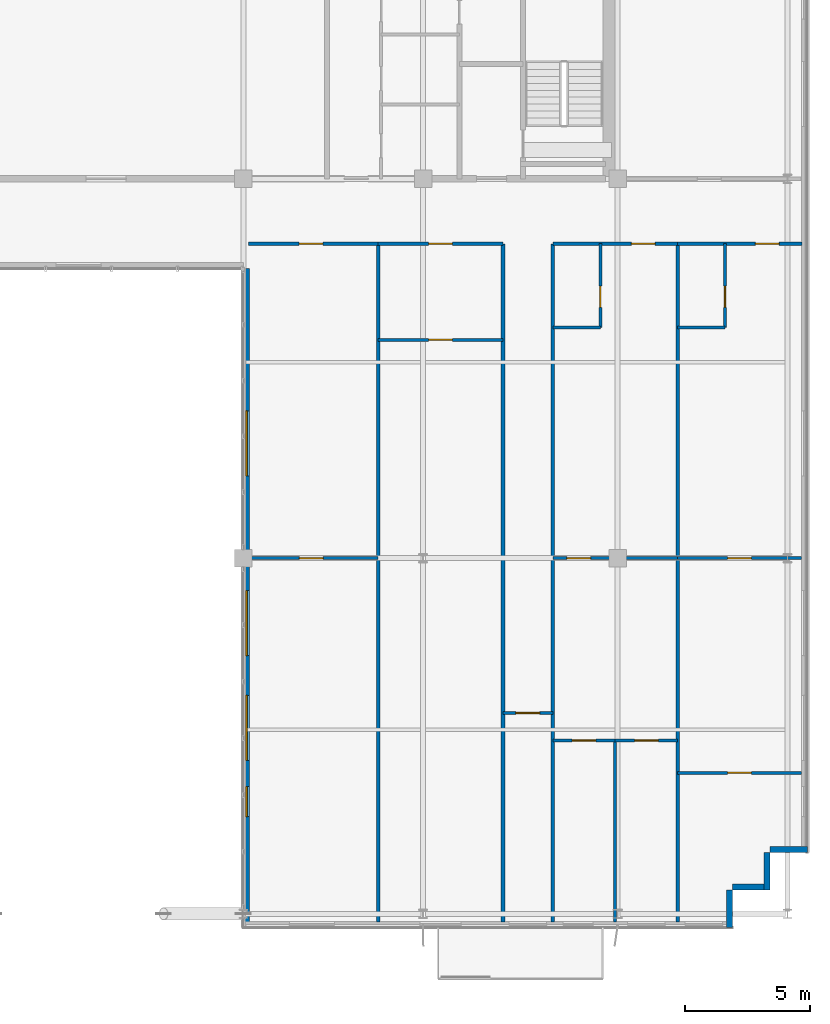
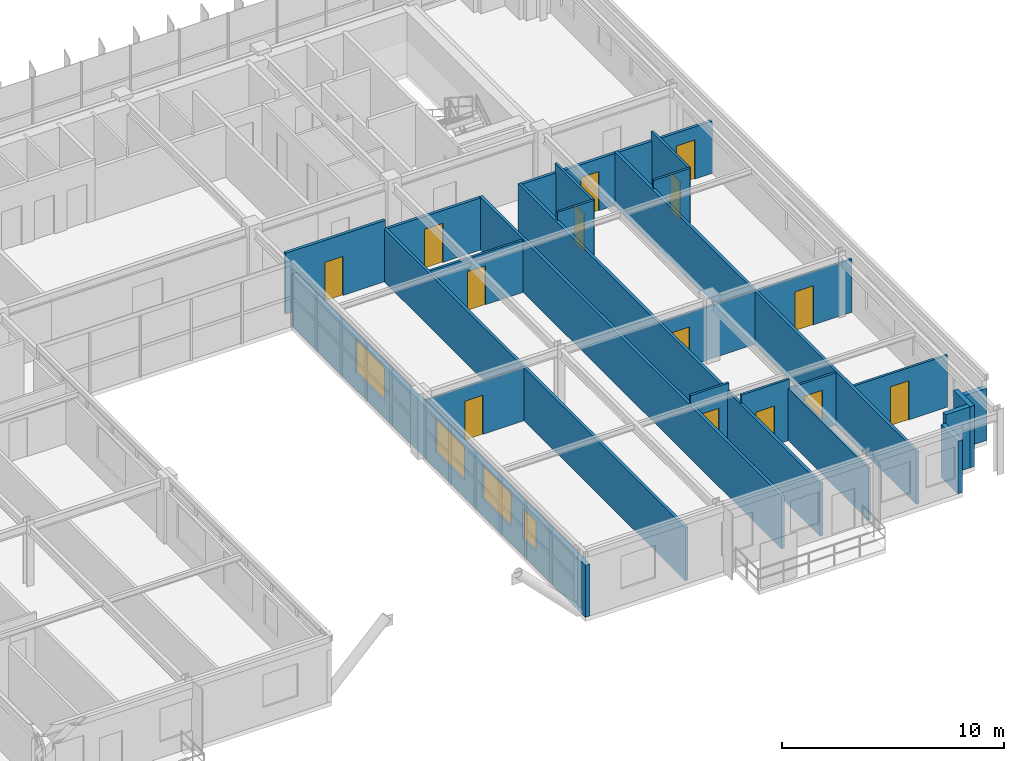
# One storey, part 30 of 35: 26 walls, 14 doors, 4 windows, 18 openings.
"""IFC4 building model written with IfcOpenShell, lengths in metres."""

from ifc_helpers import new_model, si_unit, direction, frame, frame_2d, origin, place, context, subcontext, project, spatial, rectangle, extrude, source, transform, mapped, material, layer, layer_set, type_object, element, fill, save


model = new_model("IFC4")

# Units and contexts
model_context = context("Model", 3, precision=1e-05, world=origin(), true_north=direction((0.0, 1.0)))
body_context = subcontext(model_context, "Body", "Model", "MODEL_VIEW")
ifc_project = project(units=[si_unit("LENGTHUNIT", "METRE"), si_unit("AREAUNIT", "SQUARE_METRE"), si_unit("VOLUMEUNIT", "CUBIC_METRE"), si_unit("PLANEANGLEUNIT", "RADIAN"), si_unit("MASSUNIT", "GRAM", prefix="KILO")], contexts=[model_context])

# Site, building, storey
site_placement = place(None, origin())
site = spatial("IfcSite", under=ifc_project, at=site_placement, CompositionType="ELEMENT")
building_placement = place(site_placement, origin())
building = spatial("IfcBuilding", under=site, at=building_placement, Name="Trelvane Seafront Commons", CompositionType="ELEMENT")
storey_placement = place(building_placement, frame((0.0, 0.0, 194.10009765625)))
storey = spatial("IfcBuildingStorey", under=building, at=storey_placement, Name="L50", CompositionType="ELEMENT", Elevation=194.10009765625)

# Walls
ifc_material_1 = material(Name="Precast concrete C40/50", Category="concrete")
ifc_layer_1 = layer(ifc_material_1, 0.239990234375, Name="ARCH-WALL-EXT240")
ifc_layer_set_1 = layer_set([ifc_layer_1], Name="Precast concrete C40/50")
wall_type_1 = type_object("IfcWallType", Name="ARCH-WALL-EXT240", PredefinedType="SOLIDWALL", material=ifc_layer_set_1)
wall_1_placement = place(storey_placement, frame((66.39990234375, 6.52001953125, 0.0), z_axis=(0.0, 0.0, 1.0), x_axis=(-1.0, 0.0, 0.0)))
element("IfcWall", 1, at=wall_1_placement, inside=storey, type_object=wall_type_1, Name="EW-L50-00997", PredefinedType="SOLIDWALL", context=body_context, shape_type="SweptSolid", body=[
    extrude(rectangle(XDim=1.5, YDim=0.239990234375, at=frame_2d((0.75, 0.0))), origin(), (0.0, 0.0, 1.0), 2.85986328125),
])
for number, where, z_axis, x_axis, name in (
    (2, (64.780029296875, 6.39990234375, 0.0), (0.0, 0.0, 1.0), (0.0, -1.0, 0.0), "EW-L50-00998"),
    (3, (64.89990234375, 5.02001953125, 0.0), (0.0, 0.0, 1.0), (-1.0, 0.0, 0.0), "EW-L50-00999"),
):
    element("IfcWall", number, at=place(storey_placement, frame(where, z_axis=z_axis, x_axis=x_axis)), inside=storey, type_object=wall_type_1, Name=name, PredefinedType="SOLIDWALL", context=body_context, shape_type="SweptSolid", body=[
        extrude(rectangle(XDim=1.5, YDim=0.239990234375, at=frame_2d((0.75, 0.0))), origin(), (0.0, 0.0, 1.0), 3.35986328125),
    ])
wall_2_placement = place(storey_placement, frame((63.280029296875, 4.89990234375, 0.0), z_axis=(0.0, 0.0, 1.0), x_axis=(0.0, -1.0, 0.0)))
element("IfcWall", 4, at=wall_2_placement, inside=storey, type_object=wall_type_1, Name="EW-L50-01000", PredefinedType="SOLIDWALL", context=body_context, shape_type="SweptSolid", body=[
    extrude(rectangle(XDim=1.5, YDim=0.239990234375, at=frame_2d((0.75, 0.0))), origin(), (0.0, 0.0, 1.0), 2.909912109375),
])

# Wall, openings, windows
wall_3_placement = place(storey_placement, frame((43.919921875, 3.39990234375, 0.0), z_axis=(0.0, 0.0, 1.0), x_axis=(0.0, 1.0, 0.0)))
wall_3 = element("IfcWall", 5, at=wall_3_placement, inside=storey, type_object=wall_type_1, Name="EW-L50-01002", PredefinedType="SOLIDWALL", context=body_context, shape_type="SweptSolid", body=[
    extrude(rectangle(XDim=26.400146484375, YDim=0.239990234375, at=frame_2d((13.2001953125, 0.0))), origin(), (0.0, 0.0, 1.0), 2.85986328125),
])
opening_1_placement = place(wall_3_placement, frame((4.449951171875, 0.0, 0.919921875)))
opening_1 = element("IfcOpeningElement", 6, at=opening_1_placement, cuts=wall_3, Name="Opening W05", PredefinedType="OPENING", context=body_context, shape_type="SweptSolid", body=[
    extrude(rectangle(XDim=1.199951171875, YDim=1.64990234375, at=frame_2d((0.60009765625, 0.824951171875))), frame((0.0, 0.1298828125, 0.0), z_axis=(0.0, -1.0, 0.0), x_axis=(1.0, 0.0, 0.0)), (0.0, 0.0, 1.0), 0.260009765625),
])
opening_2_placement = place(wall_3_placement, frame((6.699951171875, 0.0, 0.919921875)))
opening_2 = element("IfcOpeningElement", 7, at=opening_2_placement, cuts=wall_3, Name="Opening W04", PredefinedType="OPENING", context=body_context, shape_type="SweptSolid", body=[
    extrude(rectangle(XDim=2.60009765625, YDim=1.840087890625, at=frame_2d((1.300048828125, 0.919921875))), frame((0.0, 0.1298828125, 0.0), z_axis=(0.0, -1.0, 0.0), x_axis=(1.0, 0.0, 0.0)), (0.0, 0.0, 1.0), 0.260009765625),
])
opening_3_placement = place(wall_3_placement, frame((10.89990234375, 0.0, 0.919921875)))
opening_3 = element("IfcOpeningElement", 8, at=opening_3_placement, cuts=wall_3, Name="Opening W04", PredefinedType="OPENING", context=body_context, shape_type="SweptSolid", body=[
    extrude(rectangle(XDim=2.60009765625, YDim=1.840087890625, at=frame_2d((1.300048828125, 0.919921875))), frame((0.0, 0.1298828125, 0.0), z_axis=(0.0, -1.0, 0.0), x_axis=(1.0, 0.0, 0.0)), (0.0, 0.0, 1.0), 0.260009765625),
])
opening_4_placement = place(wall_3_placement, frame((18.10009765625, 0.0, 0.919921875)))
opening_4 = element("IfcOpeningElement", 9, at=opening_4_placement, cuts=wall_3, Name="Opening W04", PredefinedType="OPENING", context=body_context, shape_type="SweptSolid", body=[
    extrude(rectangle(XDim=2.60009765625, YDim=1.840087890625, at=frame_2d((1.300048828125, 0.919921875))), frame((0.0, 0.1298828125, 0.0), z_axis=(0.0, -1.0, 0.0), x_axis=(1.0, 0.0, 0.0)), (0.0, 0.0, 1.0), 0.260009765625),
])
ifc_material_2 = material(Name="Low-E coastal double glazing", Category="glass")
window_type_1 = type_object("IfcWindowType", Name="ARCH-WIN-W05", PartitioningType="SINGLE_PANEL", PredefinedType="WINDOW", material=ifc_material_2)
shared_shape_1 = source(origin(), body_context, "Body", "SweptSolid", [
    extrude(rectangle(XDim=1.199951171875, YDim=1.64990234375, at=frame_2d((0.60009765625, 0.824951171875))), frame((0.0, 0.030029296875, 0.0), z_axis=(0.0, -1.0, 0.0), x_axis=(1.0, 0.0, 0.0)), (0.0, 0.0, 1.0), 0.06005859375),
])
window_1_placement = place(opening_1_placement, origin())
window_1 = element("IfcWindow", 10, at=window_1_placement, inside=storey, type_object=window_type_1, Name="WIN-L50-EW-01187", OverallHeight=1.64990234375, OverallWidth=1.199951171875, PartitioningType="SINGLE_PANEL", PredefinedType="WINDOW", context=body_context, shape_type="MappedRepresentation", body=[
    mapped(shared_shape_1, transform((0.0, 0.0, 0.0), x_axis=(1.0, 0.0, 0.0), y_axis=(0.0, 1.0, 0.0), z_axis=(0.0, 0.0, 1.0), scale=1.0)),
])
fill(opening_1, window_1)
window_type_2 = type_object("IfcWindowType", Name="ARCH-WIN-W04", PartitioningType="SINGLE_PANEL", PredefinedType="WINDOW", material=ifc_material_2)
shared_shape_2 = source(origin(), body_context, "Body", "SweptSolid", [
    extrude(rectangle(XDim=2.60009765625, YDim=1.840087890625, at=frame_2d((1.300048828125, 0.919921875))), frame((0.0, 0.030029296875, 0.0), z_axis=(0.0, -1.0, 0.0), x_axis=(1.0, 0.0, 0.0)), (0.0, 0.0, 1.0), 0.06005859375),
])
window_2_placement = place(opening_2_placement, origin())
window_2 = element("IfcWindow", 11, at=window_2_placement, inside=storey, type_object=window_type_2, Name="WIN-L50-EW-01188", OverallHeight=1.840087890625, OverallWidth=2.60009765625, PartitioningType="SINGLE_PANEL", PredefinedType="WINDOW", context=body_context, shape_type="MappedRepresentation", body=[
    mapped(shared_shape_2, transform((0.0, 0.0, 0.0), x_axis=(1.0, 0.0, 0.0), y_axis=(0.0, 1.0, 0.0), z_axis=(0.0, 0.0, 1.0), scale=1.0)),
])
fill(opening_2, window_2)
window_3_placement = place(opening_3_placement, origin())
window_3 = element("IfcWindow", 12, at=window_3_placement, inside=storey, type_object=window_type_2, Name="WIN-L50-EW-01189", OverallHeight=1.840087890625, OverallWidth=2.60009765625, PartitioningType="SINGLE_PANEL", PredefinedType="WINDOW", context=body_context, shape_type="MappedRepresentation", body=[
    mapped(shared_shape_2, transform((0.0, 0.0, 0.0), x_axis=(1.0, 0.0, 0.0), y_axis=(0.0, 1.0, 0.0), z_axis=(0.0, 0.0, 1.0), scale=1.0)),
])
fill(opening_3, window_3)
window_4_placement = place(opening_4_placement, origin())
window_4 = element("IfcWindow", 13, at=window_4_placement, inside=storey, type_object=window_type_2, Name="WIN-L50-EW-01190", OverallHeight=1.840087890625, OverallWidth=2.60009765625, PartitioningType="SINGLE_PANEL", PredefinedType="WINDOW", context=body_context, shape_type="MappedRepresentation", body=[
    mapped(shared_shape_2, transform((0.0, 0.0, 0.0), x_axis=(1.0, 0.0, 0.0), y_axis=(0.0, 1.0, 0.0), z_axis=(0.0, 0.0, 1.0), scale=1.0)),
])
fill(opening_4, window_4)

# Wall, opening, door
ifc_material_3 = material(Name="Gypsum Drywall Acoustic Partition")
ifc_layer_2 = layer(ifc_material_3, 0.1201171875, Name="ARCH-WALL-PART120")
ifc_layer_set_2 = layer_set([ifc_layer_2], Name="Gypsum Drywall Acoustic Partition")
wall_type_2 = type_object("IfcWallType", Name="ARCH-WALL-PART120", PredefinedType="PARTITIONING", material=ifc_layer_set_2)
wall_4_placement = place(storey_placement, frame((44.02490234375, 18.199951171875, 0.0), z_axis=(0.0, 0.0, 1.0), x_axis=(1.0, 0.0, 0.0)))
wall_4 = element("IfcWall", 14, at=wall_4_placement, inside=storey, type_object=wall_type_2, Name="W-L50-U7-DIV-071", PredefinedType="PARTITIONING", context=body_context, shape_type="SweptSolid", body=[
    extrude(rectangle(XDim=5.175048828125, YDim=0.1201171875, at=frame_2d((2.58740234375, 0.0))), origin(), (0.0, 0.0, 1.0), 2.909912109375),
])
opening_5_placement = place(wall_4_placement, frame((2.02099609375, 0.0, 0.0)))
opening_5 = element("IfcOpeningElement", 15, at=opening_5_placement, cuts=wall_4, Name="Opening D-L50-44", PredefinedType="OPENING", context=body_context, shape_type="SweptSolid", body=[
    extrude(rectangle(XDim=0.949951171875, YDim=2.14990234375, at=frame_2d((0.47509765625, 1.074951171875))), frame((0.0, 0.070068359375, 0.0), z_axis=(0.0, -1.0, 0.0), x_axis=(1.0, 0.0, 0.0)), (0.0, 0.0, 1.0), 0.14013671875),
])
ifc_material_4 = material(Name="Acoustic timber door leaf", Category="wood")
door_type_1 = type_object("IfcDoorType", Name="ARCH-DR-INT950", OperationType="NOTDEFINED", PredefinedType="DOOR", material=ifc_material_4)
shared_shape_3 = source(origin(), body_context, "Body", "SweptSolid", [
    extrude(rectangle(XDim=0.949951171875, YDim=2.14990234375, at=frame_2d((0.47509765625, 1.074951171875))), frame((0.0, 0.02490234375, 0.0), z_axis=(0.0, -1.0, 0.0), x_axis=(1.0, 0.0, 0.0)), (0.0, 0.0, 1.0), 0.050048828125),
])
door_1_placement = place(opening_5_placement, origin())
door_1 = element("IfcDoor", 16, at=door_1_placement, inside=storey, type_object=door_type_1, Name="L50 Door 44", OperationType="SINGLE_SWING_RIGHT", OverallHeight=2.14990234375, OverallWidth=0.949951171875, PredefinedType="DOOR", context=body_context, shape_type="MappedRepresentation", body=[
    mapped(shared_shape_3, transform((0.0, 0.0, 0.0), x_axis=(1.0, 0.0, 0.0), y_axis=(0.0, 1.0, 0.0), z_axis=(0.0, 0.0, 1.0), scale=1.0)),
])
fill(opening_5, door_1)

wall_5_placement = place(storey_placement, frame((49.199951171875, 26.949951171875, 0.0), z_axis=(0.0, 0.0, 1.0), x_axis=(1.0, 0.0, 0.0)))
wall_5 = element("IfcWall", 17, at=wall_5_placement, inside=storey, type_object=wall_type_2, Name="W-L50-U8-DIV-073", PredefinedType="PARTITIONING", context=body_context, shape_type="SweptSolid", body=[
    extrude(rectangle(XDim=5.0, YDim=0.1201171875, at=frame_2d((2.5, 0.0))), origin(), (0.0, 0.0, 1.0), 2.85986328125),
])
opening_6_placement = place(wall_5_placement, frame((2.02490234375, 0.0, 0.0)))
opening_6 = element("IfcOpeningElement", 18, at=opening_6_placement, cuts=wall_5, Name="Opening D-L50-46", PredefinedType="OPENING", context=body_context, shape_type="SweptSolid", body=[
    extrude(rectangle(XDim=0.949951171875, YDim=2.14990234375, at=frame_2d((0.47509765625, 1.074951171875))), frame((0.0, 0.070068359375, 0.0), z_axis=(0.0, -1.0, 0.0), x_axis=(1.0, 0.0, 0.0)), (0.0, 0.0, 1.0), 0.14013671875),
])
door_2_placement = place(opening_6_placement, origin())
door_2 = element("IfcDoor", 19, at=door_2_placement, inside=storey, type_object=door_type_1, Name="L50 Door 46", OperationType="SINGLE_SWING_RIGHT", OverallHeight=2.14990234375, OverallWidth=0.949951171875, PredefinedType="DOOR", context=body_context, shape_type="MappedRepresentation", body=[
    mapped(shared_shape_3, transform((0.0, 0.0, 0.0), x_axis=(1.0, 0.0, 0.0), y_axis=(0.0, 1.0, 0.0), z_axis=(0.0, 0.0, 1.0), scale=1.0)),
])
fill(opening_6, door_2)

wall_6_placement = place(storey_placement, frame((54.199951171875, 12.0, 0.0), z_axis=(0.0, 0.0, 1.0), x_axis=(1.0, 0.0, 0.0)))
wall_6 = element("IfcWall", 20, at=wall_6_placement, inside=storey, type_object=wall_type_2, Name="W-L50-ARM-END-9-076", PredefinedType="PARTITIONING", context=body_context, shape_type="SweptSolid", body=[
    extrude(rectangle(XDim=2.0, YDim=0.1201171875, at=frame_2d((1.0, 0.0))), origin(), (0.0, 0.0, 1.0), 3.35986328125),
])
opening_7_placement = place(wall_6_placement, frame((0.52001953125, 0.0, 0.0)))
opening_7 = element("IfcOpeningElement", 21, at=opening_7_placement, cuts=wall_6, Name="Opening D-L50-47", PredefinedType="OPENING", context=body_context, shape_type="SweptSolid", body=[
    extrude(rectangle(XDim=0.949951171875, YDim=2.14990234375, at=frame_2d((0.47509765625, 1.074951171875))), frame((0.0, 0.070068359375, 0.0), z_axis=(0.0, -1.0, 0.0), x_axis=(1.0, 0.0, 0.0)), (0.0, 0.0, 1.0), 0.14013671875),
])
door_3_placement = place(opening_7_placement, origin())
door_3 = element("IfcDoor", 22, at=door_3_placement, inside=storey, type_object=door_type_1, Name="L50 Door 47", OperationType="SINGLE_SWING_LEFT", OverallHeight=2.14990234375, OverallWidth=0.949951171875, PredefinedType="DOOR", context=body_context, shape_type="MappedRepresentation", body=[
    mapped(shared_shape_3, transform((0.0, 0.0, 0.0), x_axis=(1.0, 0.0, 0.0), y_axis=(0.0, 1.0, 0.0), z_axis=(0.0, 0.0, 1.0), scale=1.0)),
])
fill(opening_7, door_3)

wall_7_placement = place(storey_placement, frame((56.199951171875, 18.199951171875, 0.0), z_axis=(0.0, 0.0, 1.0), x_axis=(1.0, 0.0, 0.0)))
wall_7 = element("IfcWall", 23, at=wall_7_placement, inside=storey, type_object=wall_type_2, Name="W-L50-U10-KL-077", PredefinedType="PARTITIONING", context=body_context, shape_type="SweptSolid", body=[
    extrude(rectangle(XDim=5.0, YDim=0.1201171875, at=frame_2d((2.5, 0.0))), origin(), (0.0, 0.0, 1.0), 2.909912109375),
])
opening_8_placement = place(wall_7_placement, frame((0.56298828125, 0.0, 0.0)))
opening_8 = element("IfcOpeningElement", 24, at=opening_8_placement, cuts=wall_7, Name="Opening D-L50-48", PredefinedType="OPENING", context=body_context, shape_type="SweptSolid", body=[
    extrude(rectangle(XDim=0.949951171875, YDim=2.14990234375, at=frame_2d((0.47509765625, 1.074951171875))), frame((0.0, 0.070068359375, 0.0), z_axis=(0.0, -1.0, 0.0), x_axis=(1.0, 0.0, 0.0)), (0.0, 0.0, 1.0), 0.14013671875),
])
door_4_placement = place(opening_8_placement, origin())
door_4 = element("IfcDoor", 25, at=door_4_placement, inside=storey, type_object=door_type_1, Name="L50 Door 48", OperationType="SINGLE_SWING_RIGHT", OverallHeight=2.14990234375, OverallWidth=0.949951171875, PredefinedType="DOOR", context=body_context, shape_type="MappedRepresentation", body=[
    mapped(shared_shape_3, transform((0.0, 0.0, 0.0), x_axis=(1.0, 0.0, 0.0), y_axis=(0.0, 1.0, 0.0), z_axis=(0.0, 0.0, 1.0), scale=1.0)),
])
fill(opening_8, door_4)

wall_8_placement = place(storey_placement, frame((58.10009765625, 27.449951171875, 0.0), z_axis=(0.0, 0.0, 1.0), x_axis=(0.0, 1.0, 0.0)))
wall_8 = element("IfcWall", 26, at=wall_8_placement, inside=storey, type_object=wall_type_2, Name="W-L50-U10-BE-078", PredefinedType="PARTITIONING", context=body_context, shape_type="SweptSolid", body=[
    extrude(rectangle(XDim=3.35009765625, YDim=0.1201171875, at=frame_2d((1.675048828125, 0.0))), origin(), (0.0, 0.0, 1.0), 3.35986328125),
])
opening_9_placement = place(wall_8_placement, frame((0.800048828125, 0.0, 0.0)))
opening_9 = element("IfcOpeningElement", 27, at=opening_9_placement, cuts=wall_8, Name="Opening D-L50-49", PredefinedType="OPENING", context=body_context, shape_type="SweptSolid", body=[
    extrude(rectangle(XDim=0.85009765625, YDim=2.10009765625, at=frame_2d((0.425048828125, 1.050048828125))), frame((0.0, 0.070068359375, 0.0), z_axis=(0.0, -1.0, 0.0), x_axis=(1.0, 0.0, 0.0)), (0.0, 0.0, 1.0), 0.14013671875),
])
door_type_2 = type_object("IfcDoorType", Name="ARCH-DR-INT850", OperationType="NOTDEFINED", PredefinedType="DOOR", material=ifc_material_4)
shared_shape_4 = source(origin(), body_context, "Body", "SweptSolid", [
    extrude(rectangle(XDim=0.85009765625, YDim=2.10009765625, at=frame_2d((0.425048828125, 1.050048828125))), frame((0.0, 0.02490234375, 0.0), z_axis=(0.0, -1.0, 0.0), x_axis=(1.0, 0.0, 0.0)), (0.0, 0.0, 1.0), 0.050048828125),
])
door_5_placement = place(opening_9_placement, origin())
door_5 = element("IfcDoor", 28, at=door_5_placement, inside=storey, type_object=door_type_2, Name="L50 Door 49", OperationType="SINGLE_SWING_LEFT", OverallHeight=2.10009765625, OverallWidth=0.85009765625, PredefinedType="DOOR", context=body_context, shape_type="MappedRepresentation", body=[
    mapped(shared_shape_4, transform((0.0, 0.0, 0.0), x_axis=(1.0, 0.0, 0.0), y_axis=(0.0, 1.0, 0.0), z_axis=(0.0, 0.0, 1.0), scale=1.0)),
])
fill(opening_9, door_5)

# Wall
wall_9_placement = place(storey_placement, frame((56.199951171875, 27.449951171875, 0.0), z_axis=(0.0, 0.0, 1.0), x_axis=(1.0, 0.0, 0.0)))
element("IfcWall", 29, at=wall_9_placement, inside=storey, type_object=wall_type_2, Name="W-L50-U10-BS-079", PredefinedType="PARTITIONING", context=body_context, shape_type="SweptSolid", body=[
    extrude(rectangle(XDim=1.900146484375, YDim=0.1201171875, at=frame_2d((0.9501953125, 0.0))), origin(), (0.0, 0.0, 1.0), 3.35986328125),
])

# Wall, opening, door
wall_10_placement = place(storey_placement, frame((56.199951171875, 10.89990234375, 0.0), z_axis=(0.0, 0.0, 1.0), x_axis=(1.0, 0.0, 0.0)))
wall_10 = element("IfcWall", 30, at=wall_10_placement, inside=storey, type_object=wall_type_2, Name="W-L50-U10-YM-1-081", PredefinedType="PARTITIONING", context=body_context, shape_type="SweptSolid", body=[
    extrude(rectangle(XDim=2.5, YDim=0.1201171875, at=frame_2d((1.25, 0.0))), origin(), (0.0, 0.0, 1.0), 3.35986328125),
])
opening_10_placement = place(wall_10_placement, frame((0.77490234375, 0.0, 0.0)))
opening_10 = element("IfcOpeningElement", 31, at=opening_10_placement, cuts=wall_10, Name="Opening D-L50-51", PredefinedType="OPENING", context=body_context, shape_type="SweptSolid", body=[
    extrude(rectangle(XDim=0.949951171875, YDim=2.14990234375, at=frame_2d((0.47509765625, 1.074951171875))), frame((0.0, 0.070068359375, 0.0), z_axis=(0.0, -1.0, 0.0), x_axis=(1.0, 0.0, 0.0)), (0.0, 0.0, 1.0), 0.14013671875),
])
door_6_placement = place(opening_10_placement, origin())
door_6 = element("IfcDoor", 32, at=door_6_placement, inside=storey, type_object=door_type_1, Name="L50 Door 51", OperationType="SINGLE_SWING_LEFT", OverallHeight=2.14990234375, OverallWidth=0.949951171875, PredefinedType="DOOR", context=body_context, shape_type="MappedRepresentation", body=[
    mapped(shared_shape_3, transform((0.0, 0.0, 0.0), x_axis=(1.0, 0.0, 0.0), y_axis=(0.0, 1.0, 0.0), z_axis=(0.0, 0.0, 1.0), scale=1.0)),
])
fill(opening_10, door_6)

wall_11_placement = place(storey_placement, frame((58.699951171875, 10.89990234375, 0.0), z_axis=(0.0, 0.0, 1.0), x_axis=(1.0, 0.0, 0.0)))
wall_11 = element("IfcWall", 33, at=wall_11_placement, inside=storey, type_object=wall_type_2, Name="W-L50-U10-YM-2-082", PredefinedType="PARTITIONING", context=body_context, shape_type="SweptSolid", body=[
    extrude(rectangle(XDim=2.5, YDim=0.1201171875, at=frame_2d((1.25, 0.0))), origin(), (0.0, 0.0, 1.0), 2.85986328125),
])
opening_11_placement = place(wall_11_placement, frame((0.77490234375, 0.0, 0.0)))
opening_11 = element("IfcOpeningElement", 34, at=opening_11_placement, cuts=wall_11, Name="Opening D-L50-52", PredefinedType="OPENING", context=body_context, shape_type="SweptSolid", body=[
    extrude(rectangle(XDim=0.949951171875, YDim=2.14990234375, at=frame_2d((0.47509765625, 1.074951171875))), frame((0.0, 0.070068359375, 0.0), z_axis=(0.0, -1.0, 0.0), x_axis=(1.0, 0.0, 0.0)), (0.0, 0.0, 1.0), 0.14013671875),
])
door_7_placement = place(opening_11_placement, origin())
door_7 = element("IfcDoor", 35, at=door_7_placement, inside=storey, type_object=door_type_1, Name="L50 Door 52", OperationType="SINGLE_SWING_RIGHT", OverallHeight=2.14990234375, OverallWidth=0.949951171875, PredefinedType="DOOR", context=body_context, shape_type="MappedRepresentation", body=[
    mapped(shared_shape_3, transform((0.0, 0.0, 0.0), x_axis=(1.0, 0.0, 0.0), y_axis=(0.0, 1.0, 0.0), z_axis=(0.0, 0.0, 1.0), scale=1.0)),
])
fill(opening_11, door_7)

# Wall
wall_12_placement = place(storey_placement, frame((58.699951171875, 3.625, 0.0), z_axis=(0.0, 0.0, 1.0), x_axis=(0.0, 1.0, 0.0)))
element("IfcWall", 36, at=wall_12_placement, inside=storey, type_object=wall_type_2, Name="W-L50-U10-BDV-1-083", PredefinedType="PARTITIONING", context=body_context, shape_type="SweptSolid", body=[
    extrude(rectangle(XDim=7.27490234375, YDim=0.1201171875, at=frame_2d((3.637451171875, 0.0))), origin(), (0.0, 0.0, 1.0), 2.85986328125),
])

# Wall, opening, door
wall_13_placement = place(storey_placement, frame((61.199951171875, 18.199951171875, 0.0), z_axis=(0.0, 0.0, 1.0), x_axis=(1.0, 0.0, 0.0)))
wall_13 = element("IfcWall", 37, at=wall_13_placement, inside=storey, type_object=wall_type_2, Name="W-L50-U11-KL-084", PredefinedType="PARTITIONING", context=body_context, shape_type="SweptSolid", body=[
    extrude(rectangle(XDim=4.9599609375, YDim=0.1201171875, at=frame_2d((2.47998046875, 0.0))), origin(), (0.0, 0.0, 1.0), 2.909912109375),
])
opening_12_placement = place(wall_13_placement, frame((2.0048828125, 0.0, 0.0)))
opening_12 = element("IfcOpeningElement", 38, at=opening_12_placement, cuts=wall_13, Name="Opening D-L50-53", PredefinedType="OPENING", context=body_context, shape_type="SweptSolid", body=[
    extrude(rectangle(XDim=0.949951171875, YDim=2.14990234375, at=frame_2d((0.47509765625, 1.074951171875))), frame((0.0, 0.070068359375, 0.0), z_axis=(0.0, -1.0, 0.0), x_axis=(1.0, 0.0, 0.0)), (0.0, 0.0, 1.0), 0.14013671875),
])
door_8_placement = place(opening_12_placement, origin())
door_8 = element("IfcDoor", 39, at=door_8_placement, inside=storey, type_object=door_type_1, Name="L50 Door 53", OperationType="SINGLE_SWING_LEFT", OverallHeight=2.14990234375, OverallWidth=0.949951171875, PredefinedType="DOOR", context=body_context, shape_type="MappedRepresentation", body=[
    mapped(shared_shape_3, transform((0.0, 0.0, 0.0), x_axis=(1.0, 0.0, 0.0), y_axis=(0.0, 1.0, 0.0), z_axis=(0.0, 0.0, 1.0), scale=1.0)),
])
fill(opening_12, door_8)

wall_14_placement = place(storey_placement, frame((63.10009765625, 27.449951171875, 0.0), z_axis=(0.0, 0.0, 1.0), x_axis=(0.0, 1.0, 0.0)))
wall_14 = element("IfcWall", 40, at=wall_14_placement, inside=storey, type_object=wall_type_2, Name="W-L50-U11-BE-085", PredefinedType="PARTITIONING", context=body_context, shape_type="SweptSolid", body=[
    extrude(rectangle(XDim=3.35009765625, YDim=0.1201171875, at=frame_2d((1.675048828125, 0.0))), origin(), (0.0, 0.0, 1.0), 3.35986328125),
])
opening_13_placement = place(wall_14_placement, frame((0.800048828125, 0.0, 0.0)))
opening_13 = element("IfcOpeningElement", 41, at=opening_13_placement, cuts=wall_14, Name="Opening D-L50-54", PredefinedType="OPENING", context=body_context, shape_type="SweptSolid", body=[
    extrude(rectangle(XDim=0.85009765625, YDim=2.10009765625, at=frame_2d((0.425048828125, 1.050048828125))), frame((0.0, 0.070068359375, 0.0), z_axis=(0.0, -1.0, 0.0), x_axis=(1.0, 0.0, 0.0)), (0.0, 0.0, 1.0), 0.14013671875),
])
door_9_placement = place(opening_13_placement, origin())
door_9 = element("IfcDoor", 42, at=door_9_placement, inside=storey, type_object=door_type_2, Name="L50 Door 54", OperationType="SINGLE_SWING_RIGHT", OverallHeight=2.10009765625, OverallWidth=0.85009765625, PredefinedType="DOOR", context=body_context, shape_type="MappedRepresentation", body=[
    mapped(shared_shape_4, transform((0.0, 0.0, 0.0), x_axis=(1.0, 0.0, 0.0), y_axis=(0.0, 1.0, 0.0), z_axis=(0.0, 0.0, 1.0), scale=1.0)),
])
fill(opening_13, door_9)

# Wall
wall_15_placement = place(storey_placement, frame((61.199951171875, 27.449951171875, 0.0), z_axis=(0.0, 0.0, 1.0), x_axis=(1.0, 0.0, 0.0)))
element("IfcWall", 43, at=wall_15_placement, inside=storey, type_object=wall_type_2, Name="W-L50-U11-BS-086", PredefinedType="PARTITIONING", context=body_context, shape_type="SweptSolid", body=[
    extrude(rectangle(XDim=1.900146484375, YDim=0.1201171875, at=frame_2d((0.9501953125, 0.0))), origin(), (0.0, 0.0, 1.0), 3.35986328125),
])

# Wall, opening, door
wall_16_placement = place(storey_placement, frame((61.199951171875, 9.60009765625, 0.0), z_axis=(0.0, 0.0, 1.0), x_axis=(1.0, 0.0, 0.0)))
wall_16 = element("IfcWall", 44, at=wall_16_placement, inside=storey, type_object=wall_type_2, Name="W-L50-U11-YM-1-088", PredefinedType="PARTITIONING", context=body_context, shape_type="SweptSolid", body=[
    extrude(rectangle(XDim=4.9599609375, YDim=0.1201171875, at=frame_2d((2.47998046875, 0.0))), origin(), (0.0, 0.0, 1.0), 2.85986328125),
])
opening_14_placement = place(wall_16_placement, frame((2.0048828125, 0.0, 0.0)))
opening_14 = element("IfcOpeningElement", 45, at=opening_14_placement, cuts=wall_16, Name="Opening D-L50-56", PredefinedType="OPENING", context=body_context, shape_type="SweptSolid", body=[
    extrude(rectangle(XDim=0.949951171875, YDim=2.14990234375, at=frame_2d((0.47509765625, 1.074951171875))), frame((0.0, 0.070068359375, 0.0), z_axis=(0.0, -1.0, 0.0), x_axis=(1.0, 0.0, 0.0)), (0.0, 0.0, 1.0), 0.14013671875),
])
door_10_placement = place(opening_14_placement, origin())
door_10 = element("IfcDoor", 46, at=door_10_placement, inside=storey, type_object=door_type_1, Name="L50 Door 56", OperationType="SINGLE_SWING_RIGHT", OverallHeight=2.14990234375, OverallWidth=0.949951171875, PredefinedType="DOOR", context=body_context, shape_type="MappedRepresentation", body=[
    mapped(shared_shape_3, transform((0.0, 0.0, 0.0), x_axis=(1.0, 0.0, 0.0), y_axis=(0.0, 1.0, 0.0), z_axis=(0.0, 0.0, 1.0), scale=1.0)),
])
fill(opening_14, door_10)

# Walls
ifc_layer_3 = layer(ifc_material_3, 0.14990234375, Name="ARCH-WALL-PART150")
ifc_layer_set_3 = layer_set([ifc_layer_3], Name="Gypsum Drywall Acoustic Partition")
wall_type_3 = type_object("IfcWallType", Name="ARCH-WALL-PART150", PredefinedType="PARTITIONING", material=ifc_layer_set_3)
for number, where, z_axis, x_axis, name in (
    (47, (49.199951171875, 3.625, 0.0), (0.0, 0.0, 1.0), (0.0, 1.0, 0.0), "W-L50-PW-7-049"),
    (48, (61.199951171875, 3.625, 0.0), (0.0, 0.0, 1.0), (0.0, 1.0, 0.0), "W-L50-PW-10-050"),
):
    element("IfcWall", number, at=place(storey_placement, frame(where, z_axis=z_axis, x_axis=x_axis)), inside=storey, type_object=wall_type_3, Name=name, PredefinedType="PARTITIONING", context=body_context, shape_type="SweptSolid", body=[
        extrude(rectangle(XDim=27.175048828125, YDim=0.14990234375, at=frame_2d((13.58740234375, 0.0))), origin(), (0.0, 0.0, 1.0), 2.909912109375),
    ])

# Wall, opening, door
wall_17_placement = place(storey_placement, frame((44.0, 30.800048828125, 0.0), z_axis=(0.0, 0.0, 1.0), x_axis=(1.0, 0.0, 0.0)))
wall_17 = element("IfcWall", 49, at=wall_17_placement, inside=storey, type_object=wall_type_3, Name="W-L50-CS-BAY-7-070", PredefinedType="PARTITIONING", context=body_context, shape_type="SweptSolid", body=[
    extrude(rectangle(XDim=5.199951171875, YDim=0.14990234375, at=frame_2d((2.60009765625, 0.0))), origin(), (0.0, 0.0, 1.0), 3.35986328125),
])
opening_15_placement = place(wall_17_placement, frame((2.032958984375, 0.0, 0.0)))
opening_15 = element("IfcOpeningElement", 50, at=opening_15_placement, cuts=wall_17, Name="Opening FD-L50-43", PredefinedType="OPENING", context=body_context, shape_type="SweptSolid", body=[
    extrude(rectangle(XDim=0.949951171875, YDim=2.14990234375, at=frame_2d((0.47509765625, 1.074951171875))), frame((0.0, 0.0849609375, 0.0), z_axis=(0.0, -1.0, 0.0), x_axis=(1.0, 0.0, 0.0)), (0.0, 0.0, 1.0), 0.169921875),
])
ifc_material_5 = material(Name="Powder-coated aluminium frame", Category="aluminium")
door_type_3 = type_object("IfcDoorType", Name="ARCH-DR-FD60-950", OperationType="NOTDEFINED", PredefinedType="DOOR", material=ifc_material_5)
door_11_placement = place(opening_15_placement, origin())
door_11 = element("IfcDoor", 51, at=door_11_placement, inside=storey, type_object=door_type_3, Name="L50 Bay 07 Entrance Door", OperationType="SINGLE_SWING_LEFT", OverallHeight=2.14990234375, OverallWidth=0.949951171875, PredefinedType="DOOR", context=body_context, shape_type="MappedRepresentation", body=[
    mapped(shared_shape_3, transform((0.0, 0.0, 0.0), x_axis=(1.0, 0.0, 0.0), y_axis=(0.0, 1.0, 0.0), z_axis=(0.0, 0.0, 1.0), scale=1.0)),
])
fill(opening_15, door_11)

wall_18_placement = place(storey_placement, frame((49.199951171875, 30.800048828125, 0.0), z_axis=(0.0, 0.0, 1.0), x_axis=(1.0, 0.0, 0.0)))
wall_18 = element("IfcWall", 52, at=wall_18_placement, inside=storey, type_object=wall_type_3, Name="W-L50-CS-BAY-8-072", PredefinedType="PARTITIONING", context=body_context, shape_type="SweptSolid", body=[
    extrude(rectangle(XDim=5.0, YDim=0.14990234375, at=frame_2d((2.5, 0.0))), origin(), (0.0, 0.0, 1.0), 2.85986328125),
])
opening_16_placement = place(wall_18_placement, frame((2.02490234375, 0.0, 0.0)))
opening_16 = element("IfcOpeningElement", 53, at=opening_16_placement, cuts=wall_18, Name="Opening FD-L50-45", PredefinedType="OPENING", context=body_context, shape_type="SweptSolid", body=[
    extrude(rectangle(XDim=0.949951171875, YDim=2.14990234375, at=frame_2d((0.47509765625, 1.074951171875))), frame((0.0, 0.0849609375, 0.0), z_axis=(0.0, -1.0, 0.0), x_axis=(1.0, 0.0, 0.0)), (0.0, 0.0, 1.0), 0.169921875),
])
door_12_placement = place(opening_16_placement, origin())
door_12 = element("IfcDoor", 54, at=door_12_placement, inside=storey, type_object=door_type_3, Name="L50 Bay 08 Entrance Door", OperationType="SINGLE_SWING_LEFT", OverallHeight=2.14990234375, OverallWidth=0.949951171875, PredefinedType="DOOR", context=body_context, shape_type="MappedRepresentation", body=[
    mapped(shared_shape_3, transform((0.0, 0.0, 0.0), x_axis=(1.0, 0.0, 0.0), y_axis=(0.0, 1.0, 0.0), z_axis=(0.0, 0.0, 1.0), scale=1.0)),
])
fill(opening_16, door_12)

# Walls
for number, where, z_axis, x_axis, name in (
    (55, (54.199951171875, 3.625, 0.0), (0.0, 0.0, 1.0), (0.0, 1.0, 0.0), "W-L50-ARM-W-9-074"),
    (56, (56.199951171875, 3.625, 0.0), (0.0, 0.0, 1.0), (0.0, 1.0, 0.0), "W-L50-ARM-E-9-075"),
):
    element("IfcWall", number, at=place(storey_placement, frame(where, z_axis=z_axis, x_axis=x_axis)), inside=storey, type_object=wall_type_3, Name=name, PredefinedType="PARTITIONING", context=body_context, shape_type="SweptSolid", body=[
        extrude(rectangle(XDim=27.175048828125, YDim=0.14990234375, at=frame_2d((13.58740234375, 0.0))), origin(), (0.0, 0.0, 1.0), 2.909912109375),
    ])

# Wall, opening, door
wall_19_placement = place(storey_placement, frame((56.199951171875, 30.800048828125, 0.0), z_axis=(0.0, 0.0, 1.0), x_axis=(1.0, 0.0, 0.0)))
wall_19 = element("IfcWall", 57, at=wall_19_placement, inside=storey, type_object=wall_type_3, Name="W-L50-CS-BAY-10-080", PredefinedType="PARTITIONING", context=body_context, shape_type="SweptSolid", body=[
    extrude(rectangle(XDim=5.0, YDim=0.14990234375, at=frame_2d((2.5, 0.0))), origin(), (0.0, 0.0, 1.0), 2.85986328125),
])
opening_17_placement = place(wall_19_placement, frame((3.14404296875, 0.0, 0.0)))
opening_17 = element("IfcOpeningElement", 58, at=opening_17_placement, cuts=wall_19, Name="Opening FD-L50-50", PredefinedType="OPENING", context=body_context, shape_type="SweptSolid", body=[
    extrude(rectangle(XDim=0.949951171875, YDim=2.14990234375, at=frame_2d((0.47509765625, 1.074951171875))), frame((0.0, 0.0849609375, 0.0), z_axis=(0.0, -1.0, 0.0), x_axis=(1.0, 0.0, 0.0)), (0.0, 0.0, 1.0), 0.169921875),
])
door_13_placement = place(opening_17_placement, origin())
door_13 = element("IfcDoor", 59, at=door_13_placement, inside=storey, type_object=door_type_3, Name="L50 Unit 10 Entrance Door", OperationType="SINGLE_SWING_RIGHT", OverallHeight=2.14990234375, OverallWidth=0.949951171875, PredefinedType="DOOR", context=body_context, shape_type="MappedRepresentation", body=[
    mapped(shared_shape_3, transform((0.0, 0.0, 0.0), x_axis=(1.0, 0.0, 0.0), y_axis=(0.0, 1.0, 0.0), z_axis=(0.0, 0.0, 1.0), scale=1.0)),
])
fill(opening_17, door_13)

wall_20_placement = place(storey_placement, frame((61.199951171875, 30.800048828125, 0.0), z_axis=(0.0, 0.0, 1.0), x_axis=(1.0, 0.0, 0.0)))
wall_20 = element("IfcWall", 60, at=wall_20_placement, inside=storey, type_object=wall_type_3, Name="W-L50-CS-BAY-11-087", PredefinedType="PARTITIONING", context=body_context, shape_type="SweptSolid", body=[
    extrude(rectangle(XDim=4.97509765625, YDim=0.14990234375, at=frame_2d((2.487548828125, 0.0))), origin(), (0.0, 0.0, 1.0), 2.85986328125),
])
opening_18_placement = place(wall_20_placement, frame((3.118896484375, 0.0, 0.0)))
opening_18 = element("IfcOpeningElement", 61, at=opening_18_placement, cuts=wall_20, Name="Opening FD-L50-55", PredefinedType="OPENING", context=body_context, shape_type="SweptSolid", body=[
    extrude(rectangle(XDim=0.949951171875, YDim=2.14990234375, at=frame_2d((0.47509765625, 1.074951171875))), frame((0.0, 0.0849609375, 0.0), z_axis=(0.0, -1.0, 0.0), x_axis=(1.0, 0.0, 0.0)), (0.0, 0.0, 1.0), 0.169921875),
])
door_14_placement = place(opening_18_placement, origin())
door_14 = element("IfcDoor", 62, at=door_14_placement, inside=storey, type_object=door_type_3, Name="L50 Unit 11 Entrance Door", OperationType="SINGLE_SWING_LEFT", OverallHeight=2.14990234375, OverallWidth=0.949951171875, PredefinedType="DOOR", context=body_context, shape_type="MappedRepresentation", body=[
    mapped(shared_shape_3, transform((0.0, 0.0, 0.0), x_axis=(1.0, 0.0, 0.0), y_axis=(0.0, 1.0, 0.0), z_axis=(0.0, 0.0, 1.0), scale=1.0)),
])
fill(opening_18, door_14)

save(model, "model.ifc")
